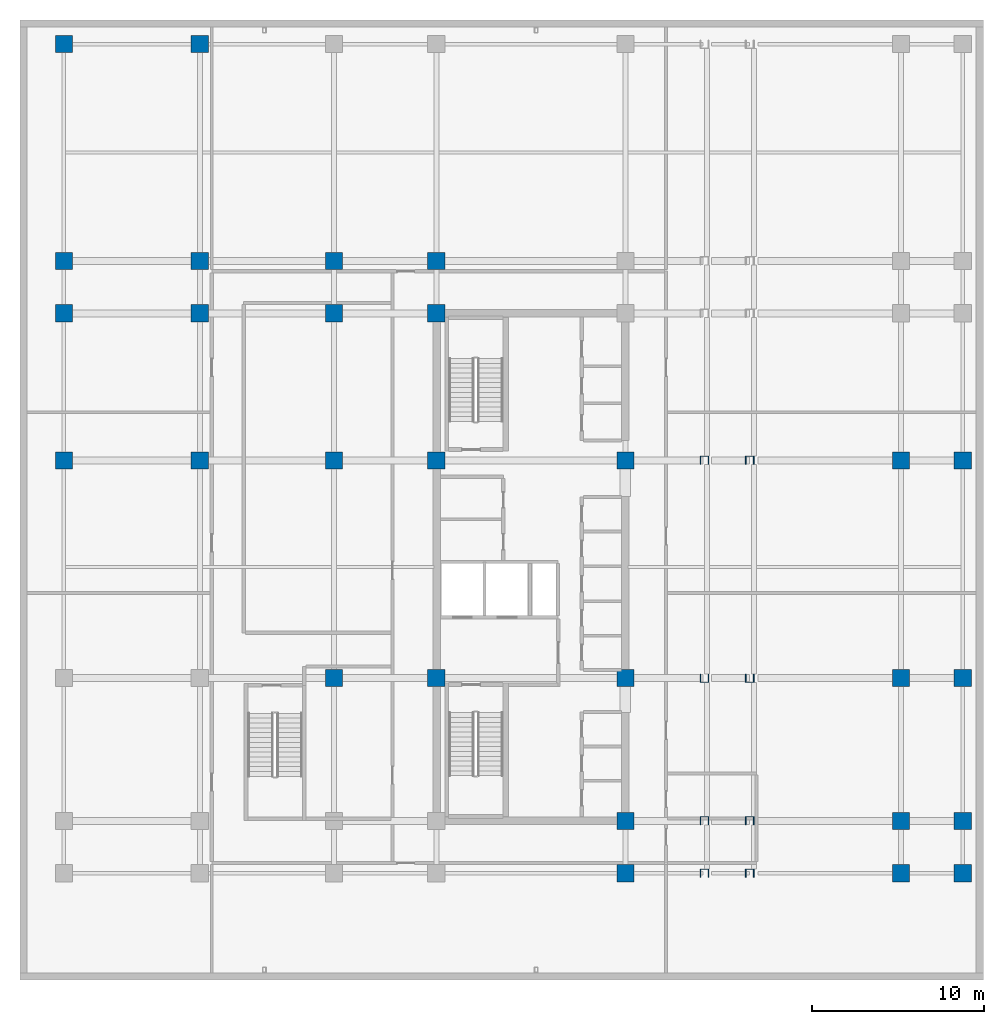
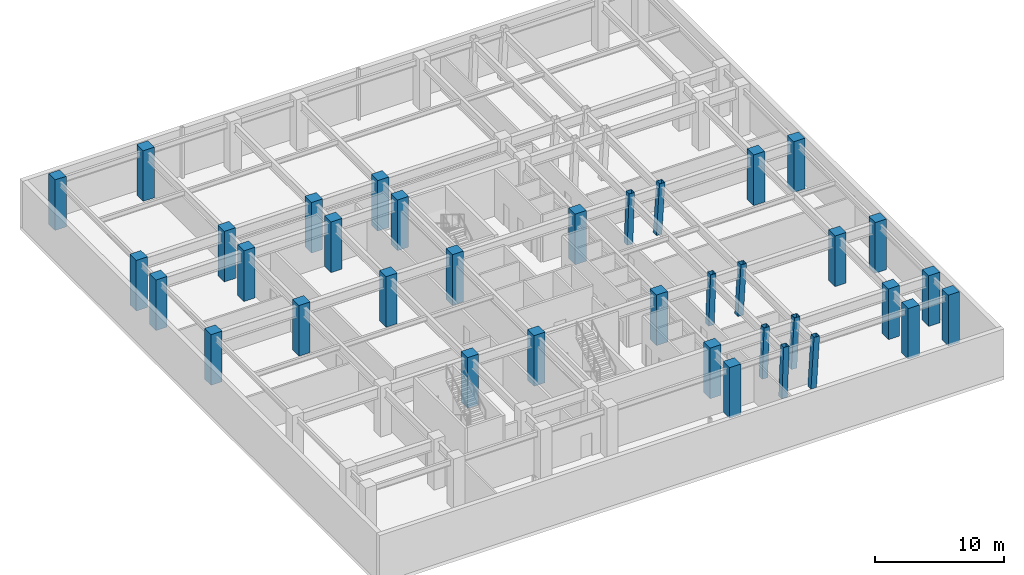
# One storey, part 2 of 9: 36 columns.
"""IFC4 building model written with IfcOpenShell, lengths in metres."""

from ifc_helpers import new_model, si_unit, direction, frame, origin, origin_2d, place, context, subcontext, project, spatial, rectangle, hollow_rectangle, extrude, material, material_profile, profile_set, type_object, element, save


model = new_model("IFC4")

# Units and contexts
model_context = context("Model", 3, precision=1e-05, world=origin(), true_north=direction((0.0, 1.0)))
body_context = subcontext(model_context, "Body", "Model", "MODEL_VIEW")
ifc_project = project(units=[si_unit("LENGTHUNIT", "METRE"), si_unit("AREAUNIT", "SQUARE_METRE"), si_unit("VOLUMEUNIT", "CUBIC_METRE"), si_unit("PLANEANGLEUNIT", "RADIAN"), si_unit("MASSUNIT", "GRAM", prefix="KILO")], contexts=[model_context])

# Site, building, storey
site_placement = place(None, origin())
site = spatial("IfcSite", under=ifc_project, at=site_placement, CompositionType="ELEMENT")
building_placement = place(site_placement, origin())
building = spatial("IfcBuilding", under=site, at=building_placement, Name="Ochreholt Gables", CompositionType="ELEMENT")
storey_placement = place(building_placement, frame((0.0, 0.0, -4.800048828125)))
storey = spatial("IfcBuildingStorey", under=building, at=storey_placement, Name="B1", CompositionType="ELEMENT", Elevation=-4.800048828125)

# Columns
ifc_material_1 = material(Name="Steel CSA G40.21 350W", Category="steel")
ifc_material_profile_1 = material_profile(ifc_material_1, hollow_rectangle(XDim=0.5, YDim=0.5, WallThickness=0.02197265625, at=origin_2d()), Name="HSS500X500X22")
ifc_profile_set_1 = profile_set([ifc_material_profile_1], Name="Steel CSA G40.21 350W")
column_type_1 = type_object("IfcColumnType", Name="COL-HSS500-RAK", PredefinedType="COLUMN", material=ifc_profile_set_1)
for number, where, z_axis, x_axis, name in (
    (1, (39.76806640625, 9.25, 0.0), (0.034971728386, 0.0, 0.99938830202), (0.0, 1.0, 0.0), "B1 Column EMY2"),
    (2, (39.76806640625, 17.550048828125, 0.0), (0.034971728386, 0.0, 0.99938830202), (0.0, 1.0, 0.0), "B1 Column EMY3"),
    (3, (39.76806640625, 30.199951171875, 0.0), (0.034971728386, 0.0, 0.99938830202), (0.0, 1.0, 0.0), "B1 Column EMY4"),
):
    element("IfcColumn", number, at=place(storey_placement, frame(where, z_axis=z_axis, x_axis=x_axis)), inside=storey, type_object=column_type_1, Name=name, PredefinedType="COLUMN", context=body_context, shape_type="SweptSolid", body=[
        extrude(hollow_rectangle(XDim=0.5, YDim=0.5, WallThickness=0.02197265625, at=origin_2d()), origin(), (0.0, 0.0, 1.0), 4.802978515625),
    ])
for number, where, z_axis, x_axis, name in (
    (4, (42.37841796875, 9.25, 0.0), (0.057885584411, 0.0, 0.998323223769), (0.0, 1.0, 0.0), "B1 Column EEY2"),
    (5, (42.37841796875, 17.550048828125, 0.0), (0.057885584411, 0.0, 0.998323223769), (0.0, 1.0, 0.0), "B1 Column EEY3"),
    (6, (42.37841796875, 30.199951171875, 0.0), (0.057885584411, 0.0, 0.998323223769), (0.0, 1.0, 0.0), "B1 Column EEY4"),
):
    element("IfcColumn", number, at=place(storey_placement, frame(where, z_axis=z_axis, x_axis=x_axis)), inside=storey, type_object=column_type_1, Name=name, PredefinedType="COLUMN", context=body_context, shape_type="SweptSolid", body=[
        extrude(hollow_rectangle(XDim=0.5, YDim=0.5, WallThickness=0.02197265625, at=origin_2d()), origin(), (0.0, 0.0, 1.0), 4.80810546875),
    ])
ifc_material_profile_2 = material_profile(ifc_material_1, hollow_rectangle(XDim=0.5, YDim=0.5, WallThickness=0.02197265625, at=origin_2d()), Name="HSS500X500X22")
ifc_profile_set_2 = profile_set([ifc_material_profile_2], Name="Steel CSA G40.21 350W")
column_type_2 = type_object("IfcColumnType", Name="COL-HSS500-RAKE", PredefinedType="COLUMN", material=ifc_profile_set_2)
column_1_placement = place(storey_placement, frame((39.76806640625, 6.199951171875, 0.0), z_axis=(0.034971728386, 0.0, 0.99938830202), x_axis=(0.0, 1.0, 0.0)))
element("IfcColumn", 7, at=column_1_placement, inside=storey, type_object=column_type_2, Name="B1 Column EMY1", PredefinedType="COLUMN", context=body_context, shape_type="SweptSolid", body=[
    extrude(hollow_rectangle(XDim=0.5, YDim=0.5, WallThickness=0.02197265625, at=origin_2d()), origin(), (0.0, 0.0, 1.0), 4.802978515625),
])
column_2_placement = place(storey_placement, frame((42.37841796875, 6.199951171875, 0.0), z_axis=(0.057885584411, 0.0, 0.998323223769), x_axis=(0.0, 1.0, 0.0)))
element("IfcColumn", 8, at=column_2_placement, inside=storey, type_object=column_type_2, Name="B1 Column EEY1", PredefinedType="COLUMN", context=body_context, shape_type="SweptSolid", body=[
    extrude(hollow_rectangle(XDim=0.5, YDim=0.5, WallThickness=0.02197265625, at=origin_2d()), origin(), (0.0, 0.0, 1.0), 4.80810546875),
])
ifc_material_2 = material(Name="Concrete 60 MPa", Category="concrete")
ifc_material_profile_3 = material_profile(ifc_material_2, rectangle(XDim=1.0, YDim=1.0, at=origin_2d()), Name="RC1000X1000")
ifc_profile_set_3 = profile_set([ifc_material_profile_3], Name="Concrete 60 MPa")
column_type_3 = type_object("IfcColumnType", Name="COL-RC1000-EXT", PredefinedType="COLUMN", material=ifc_profile_set_3)
for number, where, z_axis, x_axis, name in (
    (9, (2.550048828125, 30.199951171875, 0.0), (0.0, 0.0, 1.0), (1.0, 0.0, 0.0), "B1 Column W1Y4"),
    (10, (2.550048828125, 38.75, 0.0), (0.0, 0.0, 1.0), (1.0, 0.0, 0.0), "B1 Column W1Y5"),
    (11, (2.550048828125, 41.800048828125, 0.0), (0.0, 0.0, 1.0), (1.0, 0.0, 0.0), "B1 Column W1Y6"),
    (12, (2.550048828125, 54.39990234375, 0.0), (0.0, 0.0, 1.0), (1.0, 0.0, 0.0), "B1 Column W1Y7"),
    (13, (10.449951171875, 54.39990234375, 0.0), (0.0, 0.0, 1.0), (1.0, 0.0, 0.0), "B1 Column W2Y7"),
    (14, (35.199951171875, 6.199951171875, 0.0), (0.0, 0.0, 1.0), (1.0, 0.0, 0.0), "B1 Column C2Y1"),
    (15, (51.199951171875, 6.199951171875, 0.0), (0.0, 0.0, 1.0), (1.0, 0.0, 0.0), "B1 Column E3Y1"),
    (16, (54.800048828125, 6.199951171875, 0.0), (0.0, 0.0, 1.0), (1.0, 0.0, 0.0), "B1 Column E4Y1"),
    (17, (54.800048828125, 9.25, 0.0), (0.0, 0.0, 1.0), (1.0, 0.0, 0.0), "B1 Column E4Y2"),
    (18, (54.800048828125, 17.550048828125, 0.0), (0.0, 0.0, 1.0), (1.0, 0.0, 0.0), "B1 Column E4Y3"),
    (19, (54.800048828125, 30.199951171875, 0.0), (0.0, 0.0, 1.0), (1.0, 0.0, 0.0), "B1 Column E4Y4"),
):
    element("IfcColumn", number, at=place(storey_placement, frame(where, z_axis=z_axis, x_axis=x_axis)), inside=storey, type_object=column_type_3, Name=name, PredefinedType="COLUMN", context=body_context, shape_type="SweptSolid", body=[
        extrude(rectangle(XDim=1.0, YDim=1.0, at=origin_2d()), origin(), (0.0, 0.0, 1.0), 4.800048828125),
    ])
ifc_material_profile_4 = material_profile(ifc_material_2, rectangle(XDim=1.0, YDim=1.0, at=origin_2d()), Name="RC1000X1000")
ifc_profile_set_4 = profile_set([ifc_material_profile_4], Name="Concrete 60 MPa")
column_type_4 = type_object("IfcColumnType", Name="COL-RC1000-INT", PredefinedType="COLUMN", material=ifc_profile_set_4)
for number, where, z_axis, x_axis, name in (
    (20, (10.449951171875, 30.199951171875, 0.0), (0.0, 0.0, 1.0), (1.0, 0.0, 0.0), "B1 Column W2Y4"),
    (21, (10.449951171875, 38.75, 0.0), (0.0, 0.0, 1.0), (1.0, 0.0, 0.0), "B1 Column W2Y5"),
    (22, (10.449951171875, 41.800048828125, 0.0), (0.0, 0.0, 1.0), (1.0, 0.0, 0.0), "B1 Column W2Y6"),
    (23, (18.25, 17.550048828125, 0.0), (0.0, 0.0, 1.0), (1.0, 0.0, 0.0), "B1 Column W3Y3"),
    (24, (18.25, 30.199951171875, 0.0), (0.0, 0.0, 1.0), (1.0, 0.0, 0.0), "B1 Column W3Y4"),
    (25, (18.25, 38.75, 0.0), (0.0, 0.0, 1.0), (1.0, 0.0, 0.0), "B1 Column W3Y5"),
    (26, (18.25, 41.800048828125, 0.0), (0.0, 0.0, 1.0), (1.0, 0.0, 0.0), "B1 Column W3Y6"),
    (27, (24.199951171875, 17.550048828125, 0.0), (0.0, 0.0, 1.0), (1.0, 0.0, 0.0), "B1 Column C1Y3"),
    (28, (24.199951171875, 30.199951171875, 0.0), (0.0, 0.0, 1.0), (1.0, 0.0, 0.0), "B1 Column C1Y4"),
    (29, (24.199951171875, 38.75, 0.0), (0.0, 0.0, 1.0), (1.0, 0.0, 0.0), "B1 Column C1Y5"),
    (30, (24.199951171875, 41.800048828125, 0.0), (0.0, 0.0, 1.0), (1.0, 0.0, 0.0), "B1 Column C1Y6"),
    (31, (35.199951171875, 9.25, 0.0), (0.0, 0.0, 1.0), (1.0, 0.0, 0.0), "B1 Column C2Y2"),
    (32, (35.199951171875, 17.550048828125, 0.0), (0.0, 0.0, 1.0), (1.0, 0.0, 0.0), "B1 Column C2Y3"),
    (33, (35.199951171875, 30.199951171875, 0.0), (0.0, 0.0, 1.0), (1.0, 0.0, 0.0), "B1 Column C2Y4"),
    (34, (51.199951171875, 9.25, 0.0), (0.0, 0.0, 1.0), (1.0, 0.0, 0.0), "B1 Column E3Y2"),
    (35, (51.199951171875, 17.550048828125, 0.0), (0.0, 0.0, 1.0), (1.0, 0.0, 0.0), "B1 Column E3Y3"),
    (36, (51.199951171875, 30.199951171875, 0.0), (0.0, 0.0, 1.0), (1.0, 0.0, 0.0), "B1 Column E3Y4"),
):
    element("IfcColumn", number, at=place(storey_placement, frame(where, z_axis=z_axis, x_axis=x_axis)), inside=storey, type_object=column_type_4, Name=name, PredefinedType="COLUMN", context=body_context, shape_type="SweptSolid", body=[
        extrude(rectangle(XDim=1.0, YDim=1.0, at=origin_2d()), origin(), (0.0, 0.0, 1.0), 4.800048828125),
    ])

save(model, "model.ifc")
